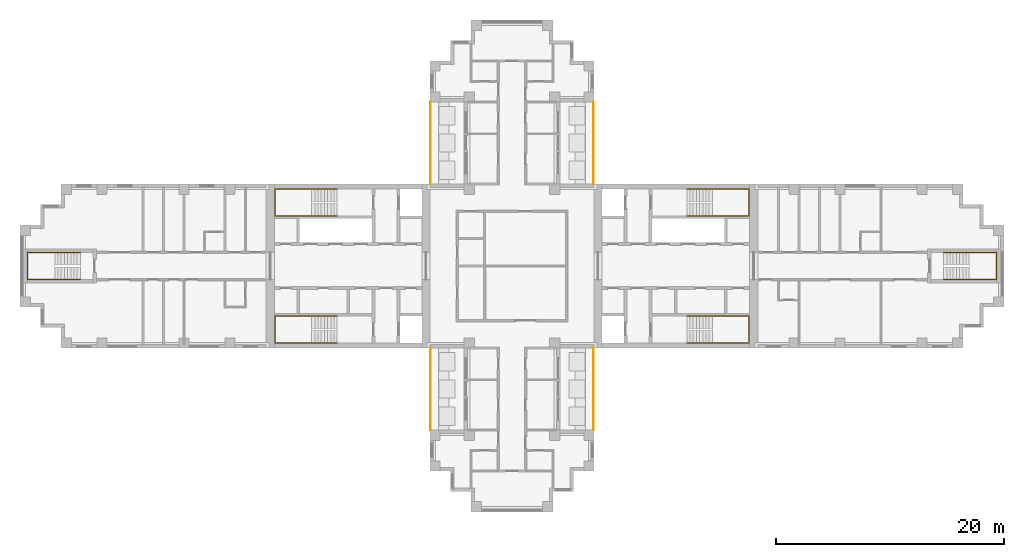
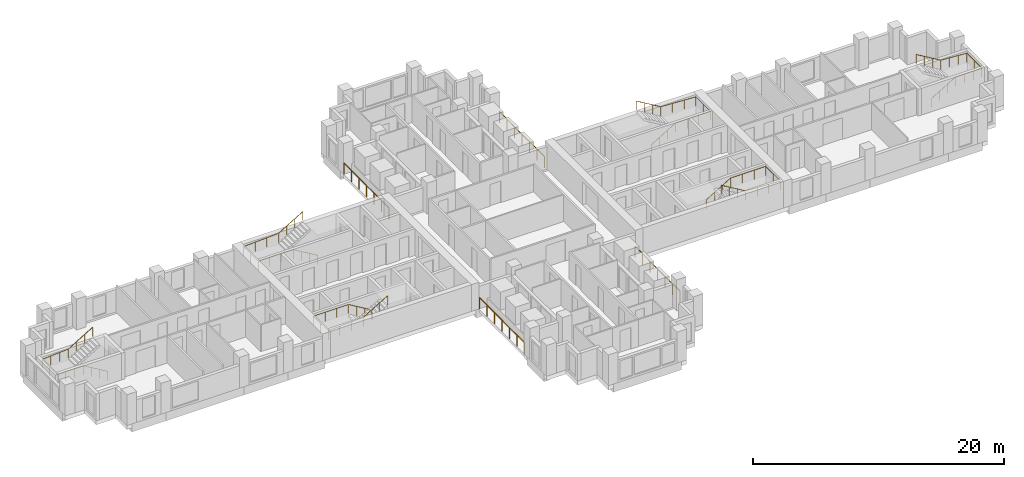
# One storey, part 11 of 12: 10 railings.
"""IFC4 building model written with IfcOpenShell, lengths in metres."""

import ifcopenshell
import ifcopenshell.guid

model = None  # the IFC model being written
_history = None  # IfcOwnerHistory: only IFC2X3 demands one
_inside = {}  # id of a spatial element -> (the spatial element, [elements in it])
_under = {}  # id of a project, library or spatial element -> (it, [spatial elements below it])
_declared = {}  # id of a project -> (the project, [libraries it declares])
_typed = {}  # id of a type object -> (the type object, [elements of that type])
_made_of = {}  # id of a material, layer set ... -> (it, [elements and type objects made of it])


def new_model(schema):
    """Start an empty IFC model of exactly this schema.

    Asked for "IFC4X3", IfcOpenShell would pick the latest addendum, in which some entities
    have other attributes; the version numbers below select the first issue.
    IFC2X3 requires an IfcOwnerHistory on every rooted entity: one is made here for all.
    """
    global model, _history
    if schema == "IFC4X3":
        model = ifcopenshell.file(schema_version=(4, 3, 0, 0))
    else:
        model = ifcopenshell.file(schema=schema)
    _inside.clear()
    _under.clear()
    _declared.clear()
    _typed.clear()
    _made_of.clear()
    _history = None
    if model.schema == "IFC2X3":
        org = make("IfcOrganization", Name="unknown")
        user = make(
            "IfcPersonAndOrganization",
            ThePerson=make("IfcPerson", FamilyName="unknown"),
            TheOrganization=org,
        )
        app = make(
            "IfcApplication",
            ApplicationDeveloper=org,
            Version="unknown",
            ApplicationFullName="unknown",
            ApplicationIdentifier="unknown",
        )
        _history = make(
            "IfcOwnerHistory",
            OwningUser=user,
            OwningApplication=app,
            ChangeAction="ADDED",
            CreationDate=0,
        )
    return model


def make(cls, **values):
    """One entity of the class cls with the attributes given. An attribute that is None is left unset."""
    return model.create_entity(
        cls, **{name: value for name, value in values.items() if value is not None}
    )


def rooted(cls, **values):
    """An entity with a GlobalId (a new one), such as an element, a storey or a relation."""
    return make(cls, GlobalId=ifcopenshell.guid.new(), OwnerHistory=_history, **values)


def si_unit(unit_type, name, prefix=None):
    """IfcSIUnit, for example si_unit("LENGTHUNIT", "METRE", prefix="MILLI")."""
    return make("IfcSIUnit", UnitType=unit_type, Prefix=prefix, Name=name)


def assignment(units):
    """IfcUnitAssignment: the units of a project."""
    return None if units is None else make("IfcUnitAssignment", Units=units)


def point(xyz):
    """IfcCartesianPoint."""
    return None if xyz is None else make("IfcCartesianPoint", Coordinates=xyz)


def direction(xyz):
    """IfcDirection."""
    return None if xyz is None else make("IfcDirection", DirectionRatios=xyz)


def frame(location, z_axis=None, x_axis=None):
    """IfcAxis2Placement3D, a coordinate frame: its origin and axes. An axis left out is left unset."""
    return make(
        "IfcAxis2Placement3D",
        Location=point(location),
        Axis=direction(z_axis),
        RefDirection=direction(x_axis),
    )


def frame_2d(location, x_axis=None):
    """IfcAxis2Placement2D, a coordinate frame in the plane: its origin and x axis."""
    return make(
        "IfcAxis2Placement2D", Location=point(location), RefDirection=direction(x_axis)
    )


def origin():
    """The frame at (0, 0, 0) with its axes left unset."""
    return frame((0.0, 0.0, 0.0))


def origin_2d():
    """The frame at (0, 0) in the plane with its x axis left unset."""
    return frame_2d((0.0, 0.0))


def place(relative_to, where):
    """IfcLocalPlacement: puts the frame where relative to a parent placement (None: the world)."""
    return make(
        "IfcLocalPlacement", PlacementRelTo=relative_to, RelativePlacement=where
    )


def context(
    kind, dimensions, precision=None, world=None, true_north=None, identifier=None
):
    """IfcGeometricRepresentationContext, for example the 3D "Model" context."""
    return make(
        "IfcGeometricRepresentationContext",
        ContextIdentifier=identifier,
        ContextType=kind,
        CoordinateSpaceDimension=dimensions,
        Precision=precision,
        WorldCoordinateSystem=world,
        TrueNorth=true_north,
    )


def subcontext(parent, identifier, kind, view, scale=None):
    """IfcGeometricRepresentationSubContext, for example "Body" below "Model"."""
    return make(
        "IfcGeometricRepresentationSubContext",
        ContextIdentifier=identifier,
        ContextType=kind,
        ParentContext=parent,
        TargetScale=scale,
        TargetView=view,
    )


def project(units=None, contexts=None):
    """IfcProject with its units and contexts."""
    return rooted(
        "IfcProject",
        Name="project",
        RepresentationContexts=contexts,
        UnitsInContext=assignment(units),
    )


def spatial(cls, under=None, at=None, **own):
    """A site, building, storey or space (cls), placed at a placement, below another one or the project."""
    s = rooted(cls, ObjectPlacement=at, **own)
    if under is not None:
        _under.setdefault(under.id(), (under, []))[1].append(s)
    return s


def profile(cls, at=None, kind="AREA", **sizes):
    """A parametric profile (cls). Its sizes go by their IFC names, for example OverallWidth=200.0."""
    return make(cls, ProfileType=kind, Position=at, **sizes)


def circle(**sizes):
    """IfcCircleProfileDef."""
    return profile("IfcCircleProfileDef", **sizes)


def extrude(swept, where, along, depth):
    """IfcExtrudedAreaSolid: the profile swept, set in the frame where, extruded along a direction by depth."""
    return make(
        "IfcExtrudedAreaSolid",
        SweptArea=swept,
        Position=where,
        ExtrudedDirection=direction(along),
        Depth=depth,
    )


def shape(context_of_items, identifier, shape_type, items):
    """IfcShapeRepresentation: the items that make up one representation, for example the "Body"."""
    return make(
        "IfcShapeRepresentation",
        ContextOfItems=context_of_items,
        RepresentationIdentifier=identifier,
        RepresentationType=shape_type,
        Items=items,
    )


def material(Name=None, Category=None):
    """IfcMaterial."""
    return make("IfcMaterial", Name=Name, Category=Category)


def made_of(thing, what):
    """Note that an element or type object is made of a material, layer set ...; save() writes the relation."""
    if what is not None:
        _made_of.setdefault(what.id(), (what, []))[1].append(thing)
    return thing


def type_object(cls, material=None, **own):
    """A type object (cls), such as IfcWallType, which elements share."""
    return made_of(rooted(cls, **own), material)


def element(
    cls,
    number,
    at=None,
    inside=None,
    cuts=None,
    type_object=None,
    material=None,
    context=None,
    identifier="Body",
    shape_type=None,
    held_by="IfcProductDefinitionShape",
    body=None,
    shapes=None,
    **own,
):
    """One element of the class cls, such as IfcWall. Its Tag is "e" and its number.

    at: its placement. inside: the storey or other place that contains it. cuts: it is an
    opening in that element (IfcRelVoidsElement). A single representation is given by context,
    identifier, shape_type and body (its items); several are given by shapes. held_by: the class
    of the entity that holds the representations. save() writes the other relations.
    """
    e = rooted(cls, Tag="e%d" % number, ObjectPlacement=at, **own)
    if body is not None:
        shapes = [shape(context, identifier, shape_type, body)]
    if shapes is not None:
        e.Representation = make(held_by, Representations=shapes)
    if inside is not None:
        _inside.setdefault(inside.id(), (inside, []))[1].append(e)
    if cuts is not None:
        rooted(
            "IfcRelVoidsElement", RelatingBuildingElement=cuts, RelatedOpeningElement=e
        )
    if type_object is not None:
        _typed.setdefault(type_object.id(), (type_object, []))[1].append(e)
    return made_of(e, material)


def aggregate(whole, parts):
    """IfcRelAggregates: a whole, such as a stair, and the parts it consists of."""
    return rooted("IfcRelAggregates", RelatingObject=whole, RelatedObjects=parts)


def save(model, path):
    """Write the relations noted so far, then the file.

    IfcRelAggregates (storeys below a building ...), IfcRelContainedInSpatialStructure (elements
    in a storey), IfcRelDefinesByType, IfcRelAssociatesMaterial and IfcRelDeclares: one each for
    every whole, place, type object, material and project.
    """
    for whole, parts in _under.values():
        aggregate(whole, parts)
    for where, things in _inside.values():
        rooted(
            "IfcRelContainedInSpatialStructure",
            RelatedElements=things,
            RelatingStructure=where,
        )
    for kind, things in _typed.values():
        rooted("IfcRelDefinesByType", RelatedObjects=things, RelatingType=kind)
    for what, things in _made_of.values():
        rooted("IfcRelAssociatesMaterial", RelatedObjects=things, RelatingMaterial=what)
    for by, libraries in _declared.values():
        rooted("IfcRelDeclares", RelatingContext=by, RelatedDefinitions=libraries)
    model.write(path)


model = new_model("IFC4")

# Units and contexts
model_context = context("Model", 3, precision=1e-05, world=origin(), true_north=direction((0.0, 1.0)))
body_context = subcontext(model_context, "Body", "Model", "MODEL_VIEW")
ifc_project = project(units=[si_unit("LENGTHUNIT", "METRE"), si_unit("AREAUNIT", "SQUARE_METRE"), si_unit("VOLUMEUNIT", "CUBIC_METRE"), si_unit("PLANEANGLEUNIT", "RADIAN"), si_unit("MASSUNIT", "GRAM", prefix="KILO")], contexts=[model_context])

# Site, building, storey
site_placement = place(None, origin())
site = spatial("IfcSite", under=ifc_project, at=site_placement, CompositionType="ELEMENT")
building_placement = place(site_placement, origin())
building = spatial("IfcBuilding", under=site, at=building_placement, Name="Fustian Cross Tower", CompositionType="ELEMENT")
storey_placement = place(building_placement, frame((0.0, 0.0, 147.300048828125)))
storey = spatial("IfcBuildingStorey", under=building, at=storey_placement, Name="L46", CompositionType="ELEMENT", Elevation=147.300048828125)

# Railings
ifc_material_1 = material(Name="Stainless steel and glass", Category="steel")
railing_type_1 = type_object("IfcRailingType", Name="GR1 BALCONY GUARD 1100", PredefinedType="GUARDRAIL", material=ifc_material_1)
for number, where, name in (
    (1, (7.14990234375, 7.199951171875, 0.0), "Balcony guard"),
    (2, (-7.14990234375, 7.199951171875, 0.0), "Balcony guard"),
    (3, (7.14990234375, -14.39990234375, 0.0), "Balcony guard"),
    (4, (-7.14990234375, -14.39990234375, 0.0), "Balcony guard"),
):
    element("IfcRailing", number, at=place(storey_placement, frame(where)), inside=storey, type_object=railing_type_1, Name=name, PredefinedType="GUARDRAIL", context=body_context, shape_type="SweptSolid", body=[
        extrude(circle(Radius=0.02392578125, at=origin_2d()), frame((0.0, 0.0, 1.076171875), z_axis=(0.0, 1.0, 0.0), x_axis=(-1.0, 0.0, 0.0)), (0.0, 0.0, 1.0), 7.199951171875),
        extrude(circle(Radius=0.02099609375, at=origin_2d()), origin(), (0.0, 0.0, 1.0), 1.052001953125),
        extrude(circle(Radius=0.02099609375, at=origin_2d()), frame((0.0, 1.199951171875, 0.0)), (0.0, 0.0, 1.0), 1.052001953125),
        extrude(circle(Radius=0.02099609375, at=origin_2d()), frame((0.0, 2.39990234375, 0.0)), (0.0, 0.0, 1.0), 1.052001953125),
        extrude(circle(Radius=0.02099609375, at=origin_2d()), frame((0.0, 3.60009765625, 0.0)), (0.0, 0.0, 1.0), 1.052001953125),
        extrude(circle(Radius=0.02099609375, at=origin_2d()), frame((0.0, 4.800048828125, 0.0)), (0.0, 0.0, 1.0), 1.052001953125),
        extrude(circle(Radius=0.02099609375, at=origin_2d()), frame((0.0, 6.0, 0.0)), (0.0, 0.0, 1.0), 1.052001953125),
        extrude(circle(Radius=0.02099609375, at=origin_2d()), frame((0.0, 7.199951171875, 0.0)), (0.0, 0.0, 1.0), 1.052001953125),
    ])
ifc_material_2 = material(Name="Stainless steel", Category="steel")
railing_type_2 = type_object("IfcRailingType", Name="STAIR HANDRAIL", PredefinedType="HANDRAIL", material=ifc_material_2)
railing_1_placement = place(storey_placement, frame((15.35009765625, 4.39990234375, 0.16650390625)))
element("IfcRailing", 5, at=railing_1_placement, inside=storey, type_object=railing_type_2, Name="Stair ST1 handrail 1", PredefinedType="HANDRAIL", context=body_context, shape_type="SweptSolid", body=[
    extrude(circle(Radius=0.02490234375, at=origin_2d()), frame((0.0, 0.0, 0.875), z_axis=(0.859264461869, 0.0, 0.511531606619), x_axis=(0.0, 1.0, 0.0)), (0.0, 0.0, 1.0), 2.60693359375),
    extrude(circle(Radius=0.02490234375, at=origin_2d()), frame((2.239990234375, 0.0, 2.20849609375), z_axis=(1.0, 0.0, 0.0), x_axis=(0.0, 1.0, 0.0)), (0.0, 0.0, 1.0), 3.219970703125),
    extrude(circle(Radius=0.02490234375, at=origin_2d()), frame((5.4599609375, 0.0, 2.20849609375), z_axis=(0.0, 1.0, 0.0), x_axis=(-1.0, 0.0, 0.0)), (0.0, 0.0, 1.0), 2.35009765625),
    extrude(circle(Radius=0.02490234375, at=origin_2d()), frame((5.4599609375, 2.35009765625, 2.20849609375), z_axis=(-0.998665725648, 0.0, 0.051640763128), x_axis=(0.0, -1.0, 0.0)), (0.0, 0.0, 1.0), 3.224365234375),
    extrude(circle(Radius=0.02490234375, at=origin_2d()), frame((2.239990234375, 2.35009765625, 2.375), z_axis=(-0.859264461869, 0.0, 0.511531606619), x_axis=(0.0, -1.0, 0.0)), (0.0, 0.0, 1.0), 2.60693359375),
    extrude(circle(Radius=0.02001953125, at=origin_2d()), origin(), (0.0, 0.0, 1.0), 0.849853515625),
    extrude(circle(Radius=0.02001953125, at=origin_2d()), frame((0.74658203125, 0.0, 0.444580078125)), (0.0, 0.0, 1.0), 0.849853515625),
    extrude(circle(Radius=0.02001953125, at=origin_2d()), frame((1.493408203125, 0.0, 0.888916015625)), (0.0, 0.0, 1.0), 0.849853515625),
    extrude(circle(Radius=0.02001953125, at=origin_2d()), frame((2.239990234375, 0.0, 1.33349609375)), (0.0, 0.0, 1.0), 0.849853515625),
    extrude(circle(Radius=0.02001953125, at=origin_2d()), frame((3.313232421875, 0.0, 1.33349609375)), (0.0, 0.0, 1.0), 0.849853515625),
    extrude(circle(Radius=0.02001953125, at=origin_2d()), frame((4.38671875, 0.0, 1.33349609375)), (0.0, 0.0, 1.0), 0.849853515625),
    extrude(circle(Radius=0.02001953125, at=origin_2d()), frame((5.4599609375, 0.0, 1.33349609375)), (0.0, 0.0, 1.0), 0.849853515625),
    extrude(circle(Radius=0.02001953125, at=origin_2d()), frame((5.4599609375, 1.175048828125, 1.33349609375)), (0.0, 0.0, 1.0), 0.849853515625),
    extrude(circle(Radius=0.02001953125, at=origin_2d()), frame((5.4599609375, 2.35009765625, 1.33349609375)), (0.0, 0.0, 1.0), 0.849853515625),
    extrude(circle(Radius=0.02001953125, at=origin_2d()), frame((4.38671875, 2.35009765625, 1.388916015625)), (0.0, 0.0, 1.0), 0.849853515625),
    extrude(circle(Radius=0.02001953125, at=origin_2d()), frame((3.313232421875, 2.35009765625, 1.444580078125)), (0.0, 0.0, 1.0), 0.849853515625),
    extrude(circle(Radius=0.02001953125, at=origin_2d()), frame((2.239990234375, 2.35009765625, 1.5)), (0.0, 0.0, 1.0), 0.849853515625),
    extrude(circle(Radius=0.02001953125, at=origin_2d()), frame((1.493408203125, 2.35009765625, 1.944580078125)), (0.0, 0.0, 1.0), 0.849853515625),
    extrude(circle(Radius=0.02001953125, at=origin_2d()), frame((0.74658203125, 2.35009765625, 2.388916015625)), (0.0, 0.0, 1.0), 0.849853515625),
    extrude(circle(Radius=0.02001953125, at=origin_2d()), frame((0.0, 2.35009765625, 2.83349609375)), (0.0, 0.0, 1.0), 0.849853515625),
])
railing_2_placement = place(storey_placement, frame((15.35009765625, -4.39990234375, 0.16650390625)))
element("IfcRailing", 6, at=railing_2_placement, inside=storey, type_object=railing_type_2, Name="Stair ST2 handrail 1", PredefinedType="HANDRAIL", context=body_context, shape_type="SweptSolid", body=[
    extrude(circle(Radius=0.02490234375, at=origin_2d()), frame((0.0, 0.0, 0.875), z_axis=(0.859264461869, 0.0, 0.511531606619), x_axis=(0.0, 1.0, 0.0)), (0.0, 0.0, 1.0), 2.60693359375),
    extrude(circle(Radius=0.02490234375, at=origin_2d()), frame((2.239990234375, 0.0, 2.20849609375), z_axis=(1.0, 0.0, 0.0), x_axis=(0.0, 1.0, 0.0)), (0.0, 0.0, 1.0), 3.219970703125),
    extrude(circle(Radius=0.02490234375, at=origin_2d()), frame((5.4599609375, 0.0, 2.20849609375), z_axis=(0.0, -1.0, 0.0), x_axis=(1.0, 0.0, 0.0)), (0.0, 0.0, 1.0), 2.35009765625),
    extrude(circle(Radius=0.02490234375, at=origin_2d()), frame((5.4599609375, -2.35009765625, 2.20849609375), z_axis=(-0.998665725648, 0.0, 0.051640763128), x_axis=(0.0, -1.0, 0.0)), (0.0, 0.0, 1.0), 3.224365234375),
    extrude(circle(Radius=0.02490234375, at=origin_2d()), frame((2.239990234375, -2.35009765625, 2.375), z_axis=(-0.859264461869, 0.0, 0.511531606619), x_axis=(0.0, -1.0, 0.0)), (0.0, 0.0, 1.0), 2.60693359375),
    extrude(circle(Radius=0.02001953125, at=origin_2d()), origin(), (0.0, 0.0, 1.0), 0.849853515625),
    extrude(circle(Radius=0.02001953125, at=origin_2d()), frame((0.74658203125, 0.0, 0.444580078125)), (0.0, 0.0, 1.0), 0.849853515625),
    extrude(circle(Radius=0.02001953125, at=origin_2d()), frame((1.493408203125, 0.0, 0.888916015625)), (0.0, 0.0, 1.0), 0.849853515625),
    extrude(circle(Radius=0.02001953125, at=origin_2d()), frame((2.239990234375, 0.0, 1.33349609375)), (0.0, 0.0, 1.0), 0.849853515625),
    extrude(circle(Radius=0.02001953125, at=origin_2d()), frame((3.313232421875, 0.0, 1.33349609375)), (0.0, 0.0, 1.0), 0.849853515625),
    extrude(circle(Radius=0.02001953125, at=origin_2d()), frame((4.38671875, 0.0, 1.33349609375)), (0.0, 0.0, 1.0), 0.849853515625),
    extrude(circle(Radius=0.02001953125, at=origin_2d()), frame((5.4599609375, 0.0, 1.33349609375)), (0.0, 0.0, 1.0), 0.849853515625),
    extrude(circle(Radius=0.02001953125, at=origin_2d()), frame((5.4599609375, -1.175048828125, 1.33349609375)), (0.0, 0.0, 1.0), 0.849853515625),
    extrude(circle(Radius=0.02001953125, at=origin_2d()), frame((5.4599609375, -2.35009765625, 1.33349609375)), (0.0, 0.0, 1.0), 0.849853515625),
    extrude(circle(Radius=0.02001953125, at=origin_2d()), frame((4.38671875, -2.35009765625, 1.388916015625)), (0.0, 0.0, 1.0), 0.849853515625),
    extrude(circle(Radius=0.02001953125, at=origin_2d()), frame((3.313232421875, -2.35009765625, 1.444580078125)), (0.0, 0.0, 1.0), 0.849853515625),
    extrude(circle(Radius=0.02001953125, at=origin_2d()), frame((2.239990234375, -2.35009765625, 1.5)), (0.0, 0.0, 1.0), 0.849853515625),
    extrude(circle(Radius=0.02001953125, at=origin_2d()), frame((1.493408203125, -2.35009765625, 1.944580078125)), (0.0, 0.0, 1.0), 0.849853515625),
    extrude(circle(Radius=0.02001953125, at=origin_2d()), frame((0.74658203125, -2.35009765625, 2.388916015625)), (0.0, 0.0, 1.0), 0.849853515625),
    extrude(circle(Radius=0.02001953125, at=origin_2d()), frame((0.0, -2.35009765625, 2.83349609375)), (0.0, 0.0, 1.0), 0.849853515625),
])
railing_3_placement = place(storey_placement, frame((-15.35009765625, 4.39990234375, 0.16650390625)))
element("IfcRailing", 7, at=railing_3_placement, inside=storey, type_object=railing_type_2, Name="Stair ST3 handrail 1", PredefinedType="HANDRAIL", context=body_context, shape_type="SweptSolid", body=[
    extrude(circle(Radius=0.02490234375, at=origin_2d()), frame((0.0, 0.0, 0.875), z_axis=(-0.859264461869, 0.0, 0.511531606619), x_axis=(0.0, -1.0, 0.0)), (0.0, 0.0, 1.0), 2.60693359375),
    extrude(circle(Radius=0.02490234375, at=origin_2d()), frame((-2.239990234375, 0.0, 2.20849609375), z_axis=(-1.0, 0.0, 0.0), x_axis=(0.0, -1.0, 0.0)), (0.0, 0.0, 1.0), 3.219970703125),
    extrude(circle(Radius=0.02490234375, at=origin_2d()), frame((-5.4599609375, 0.0, 2.20849609375), z_axis=(0.0, 1.0, 0.0), x_axis=(-1.0, 0.0, 0.0)), (0.0, 0.0, 1.0), 2.35009765625),
    extrude(circle(Radius=0.02490234375, at=origin_2d()), frame((-5.4599609375, 2.35009765625, 2.20849609375), z_axis=(0.998665725648, 0.0, 0.051640763128), x_axis=(0.0, 1.0, 0.0)), (0.0, 0.0, 1.0), 3.224365234375),
    extrude(circle(Radius=0.02490234375, at=origin_2d()), frame((-2.239990234375, 2.35009765625, 2.375), z_axis=(0.859264461869, 0.0, 0.511531606619), x_axis=(0.0, 1.0, 0.0)), (0.0, 0.0, 1.0), 2.60693359375),
    extrude(circle(Radius=0.02001953125, at=origin_2d()), origin(), (0.0, 0.0, 1.0), 0.849853515625),
    extrude(circle(Radius=0.02001953125, at=origin_2d()), frame((-0.74658203125, 0.0, 0.444580078125)), (0.0, 0.0, 1.0), 0.849853515625),
    extrude(circle(Radius=0.02001953125, at=origin_2d()), frame((-1.493408203125, 0.0, 0.888916015625)), (0.0, 0.0, 1.0), 0.849853515625),
    extrude(circle(Radius=0.02001953125, at=origin_2d()), frame((-2.239990234375, 0.0, 1.33349609375)), (0.0, 0.0, 1.0), 0.849853515625),
    extrude(circle(Radius=0.02001953125, at=origin_2d()), frame((-3.313232421875, 0.0, 1.33349609375)), (0.0, 0.0, 1.0), 0.849853515625),
    extrude(circle(Radius=0.02001953125, at=origin_2d()), frame((-4.38671875, 0.0, 1.33349609375)), (0.0, 0.0, 1.0), 0.849853515625),
    extrude(circle(Radius=0.02001953125, at=origin_2d()), frame((-5.4599609375, 0.0, 1.33349609375)), (0.0, 0.0, 1.0), 0.849853515625),
    extrude(circle(Radius=0.02001953125, at=origin_2d()), frame((-5.4599609375, 1.175048828125, 1.33349609375)), (0.0, 0.0, 1.0), 0.849853515625),
    extrude(circle(Radius=0.02001953125, at=origin_2d()), frame((-5.4599609375, 2.35009765625, 1.33349609375)), (0.0, 0.0, 1.0), 0.849853515625),
    extrude(circle(Radius=0.02001953125, at=origin_2d()), frame((-4.38671875, 2.35009765625, 1.388916015625)), (0.0, 0.0, 1.0), 0.849853515625),
    extrude(circle(Radius=0.02001953125, at=origin_2d()), frame((-3.313232421875, 2.35009765625, 1.444580078125)), (0.0, 0.0, 1.0), 0.849853515625),
    extrude(circle(Radius=0.02001953125, at=origin_2d()), frame((-2.239990234375, 2.35009765625, 1.5)), (0.0, 0.0, 1.0), 0.849853515625),
    extrude(circle(Radius=0.02001953125, at=origin_2d()), frame((-1.493408203125, 2.35009765625, 1.944580078125)), (0.0, 0.0, 1.0), 0.849853515625),
    extrude(circle(Radius=0.02001953125, at=origin_2d()), frame((-0.74658203125, 2.35009765625, 2.388916015625)), (0.0, 0.0, 1.0), 0.849853515625),
    extrude(circle(Radius=0.02001953125, at=origin_2d()), frame((0.0, 2.35009765625, 2.83349609375)), (0.0, 0.0, 1.0), 0.849853515625),
])
railing_4_placement = place(storey_placement, frame((-15.35009765625, -4.39990234375, 0.16650390625)))
element("IfcRailing", 8, at=railing_4_placement, inside=storey, type_object=railing_type_2, Name="Stair ST4 handrail 1", PredefinedType="HANDRAIL", context=body_context, shape_type="SweptSolid", body=[
    extrude(circle(Radius=0.02490234375, at=origin_2d()), frame((0.0, 0.0, 0.875), z_axis=(-0.859264461869, 0.0, 0.511531606619), x_axis=(0.0, -1.0, 0.0)), (0.0, 0.0, 1.0), 2.60693359375),
    extrude(circle(Radius=0.02490234375, at=origin_2d()), frame((-2.239990234375, 0.0, 2.20849609375), z_axis=(-1.0, 0.0, 0.0), x_axis=(0.0, -1.0, 0.0)), (0.0, 0.0, 1.0), 3.219970703125),
    extrude(circle(Radius=0.02490234375, at=origin_2d()), frame((-5.4599609375, 0.0, 2.20849609375), z_axis=(0.0, -1.0, 0.0), x_axis=(1.0, 0.0, 0.0)), (0.0, 0.0, 1.0), 2.35009765625),
    extrude(circle(Radius=0.02490234375, at=origin_2d()), frame((-5.4599609375, -2.35009765625, 2.20849609375), z_axis=(0.998665725648, 0.0, 0.051640763128), x_axis=(0.0, 1.0, 0.0)), (0.0, 0.0, 1.0), 3.224365234375),
    extrude(circle(Radius=0.02490234375, at=origin_2d()), frame((-2.239990234375, -2.35009765625, 2.375), z_axis=(0.859264461869, 0.0, 0.511531606619), x_axis=(0.0, 1.0, 0.0)), (0.0, 0.0, 1.0), 2.60693359375),
    extrude(circle(Radius=0.02001953125, at=origin_2d()), origin(), (0.0, 0.0, 1.0), 0.849853515625),
    extrude(circle(Radius=0.02001953125, at=origin_2d()), frame((-0.74658203125, 0.0, 0.444580078125)), (0.0, 0.0, 1.0), 0.849853515625),
    extrude(circle(Radius=0.02001953125, at=origin_2d()), frame((-1.493408203125, 0.0, 0.888916015625)), (0.0, 0.0, 1.0), 0.849853515625),
    extrude(circle(Radius=0.02001953125, at=origin_2d()), frame((-2.239990234375, 0.0, 1.33349609375)), (0.0, 0.0, 1.0), 0.849853515625),
    extrude(circle(Radius=0.02001953125, at=origin_2d()), frame((-3.313232421875, 0.0, 1.33349609375)), (0.0, 0.0, 1.0), 0.849853515625),
    extrude(circle(Radius=0.02001953125, at=origin_2d()), frame((-4.38671875, 0.0, 1.33349609375)), (0.0, 0.0, 1.0), 0.849853515625),
    extrude(circle(Radius=0.02001953125, at=origin_2d()), frame((-5.4599609375, 0.0, 1.33349609375)), (0.0, 0.0, 1.0), 0.849853515625),
    extrude(circle(Radius=0.02001953125, at=origin_2d()), frame((-5.4599609375, -1.175048828125, 1.33349609375)), (0.0, 0.0, 1.0), 0.849853515625),
    extrude(circle(Radius=0.02001953125, at=origin_2d()), frame((-5.4599609375, -2.35009765625, 1.33349609375)), (0.0, 0.0, 1.0), 0.849853515625),
    extrude(circle(Radius=0.02001953125, at=origin_2d()), frame((-4.38671875, -2.35009765625, 1.388916015625)), (0.0, 0.0, 1.0), 0.849853515625),
    extrude(circle(Radius=0.02001953125, at=origin_2d()), frame((-3.313232421875, -2.35009765625, 1.444580078125)), (0.0, 0.0, 1.0), 0.849853515625),
    extrude(circle(Radius=0.02001953125, at=origin_2d()), frame((-2.239990234375, -2.35009765625, 1.5)), (0.0, 0.0, 1.0), 0.849853515625),
    extrude(circle(Radius=0.02001953125, at=origin_2d()), frame((-1.493408203125, -2.35009765625, 1.944580078125)), (0.0, 0.0, 1.0), 0.849853515625),
    extrude(circle(Radius=0.02001953125, at=origin_2d()), frame((-0.74658203125, -2.35009765625, 2.388916015625)), (0.0, 0.0, 1.0), 0.849853515625),
    extrude(circle(Radius=0.02001953125, at=origin_2d()), frame((0.0, -2.35009765625, 2.83349609375)), (0.0, 0.0, 1.0), 0.849853515625),
])
railing_5_placement = place(storey_placement, frame((37.89990234375, -1.199951171875, 0.16650390625)))
element("IfcRailing", 9, at=railing_5_placement, inside=storey, type_object=railing_type_2, Name="Stair ST8 handrail 1", PredefinedType="HANDRAIL", context=body_context, shape_type="SweptSolid", body=[
    extrude(circle(Radius=0.02490234375, at=origin_2d()), frame((0.0, 0.0, 0.875), z_axis=(0.859264461869, 0.0, 0.511531606619), x_axis=(0.0, 1.0, 0.0)), (0.0, 0.0, 1.0), 2.60693359375),
    extrude(circle(Radius=0.02490234375, at=origin_2d()), frame((2.239990234375, 0.0, 2.20849609375), z_axis=(1.0, 0.0, 0.0), x_axis=(0.0, 1.0, 0.0)), (0.0, 0.0, 1.0), 2.420166015625),
    extrude(circle(Radius=0.02490234375, at=origin_2d()), frame((4.66015625, 0.0, 2.20849609375), z_axis=(0.0, 1.0, 0.0), x_axis=(-1.0, 0.0, 0.0)), (0.0, 0.0, 1.0), 2.39990234375),
    extrude(circle(Radius=0.02490234375, at=origin_2d()), frame((4.66015625, 2.39990234375, 2.20849609375), z_axis=(-0.997641748275, 0.0, 0.068636303069), x_axis=(0.0, -1.0, 0.0)), (0.0, 0.0, 1.0), 2.42578125),
    extrude(circle(Radius=0.02490234375, at=origin_2d()), frame((2.239990234375, 2.39990234375, 2.375), z_axis=(-0.859264461869, 0.0, 0.511531606619), x_axis=(0.0, -1.0, 0.0)), (0.0, 0.0, 1.0), 2.60693359375),
    extrude(circle(Radius=0.02001953125, at=origin_2d()), origin(), (0.0, 0.0, 1.0), 0.849853515625),
    extrude(circle(Radius=0.02001953125, at=origin_2d()), frame((0.74658203125, 0.0, 0.444580078125)), (0.0, 0.0, 1.0), 0.849853515625),
    extrude(circle(Radius=0.02001953125, at=origin_2d()), frame((1.493408203125, 0.0, 0.888916015625)), (0.0, 0.0, 1.0), 0.849853515625),
    extrude(circle(Radius=0.02001953125, at=origin_2d()), frame((2.239990234375, 0.0, 1.33349609375)), (0.0, 0.0, 1.0), 0.849853515625),
    extrude(circle(Radius=0.02001953125, at=origin_2d()), frame((3.046630859375, 0.0, 1.33349609375)), (0.0, 0.0, 1.0), 0.849853515625),
    extrude(circle(Radius=0.02001953125, at=origin_2d()), frame((3.853515625, 0.0, 1.33349609375)), (0.0, 0.0, 1.0), 0.849853515625),
    extrude(circle(Radius=0.02001953125, at=origin_2d()), frame((4.66015625, 0.0, 1.33349609375)), (0.0, 0.0, 1.0), 0.849853515625),
    extrude(circle(Radius=0.02001953125, at=origin_2d()), frame((4.66015625, 1.199951171875, 1.33349609375)), (0.0, 0.0, 1.0), 0.849853515625),
    extrude(circle(Radius=0.02001953125, at=origin_2d()), frame((4.66015625, 2.39990234375, 1.33349609375)), (0.0, 0.0, 1.0), 0.849853515625),
    extrude(circle(Radius=0.02001953125, at=origin_2d()), frame((3.853515625, 2.39990234375, 1.388916015625)), (0.0, 0.0, 1.0), 0.849853515625),
    extrude(circle(Radius=0.02001953125, at=origin_2d()), frame((3.046630859375, 2.39990234375, 1.444580078125)), (0.0, 0.0, 1.0), 0.849853515625),
    extrude(circle(Radius=0.02001953125, at=origin_2d()), frame((2.239990234375, 2.39990234375, 1.5)), (0.0, 0.0, 1.0), 0.849853515625),
    extrude(circle(Radius=0.02001953125, at=origin_2d()), frame((1.493408203125, 2.39990234375, 1.944580078125)), (0.0, 0.0, 1.0), 0.849853515625),
    extrude(circle(Radius=0.02001953125, at=origin_2d()), frame((0.74658203125, 2.39990234375, 2.388916015625)), (0.0, 0.0, 1.0), 0.849853515625),
    extrude(circle(Radius=0.02001953125, at=origin_2d()), frame((0.0, 2.39990234375, 2.83349609375)), (0.0, 0.0, 1.0), 0.849853515625),
])
railing_6_placement = place(storey_placement, frame((-37.89990234375, -1.199951171875, 0.16650390625)))
element("IfcRailing", 10, at=railing_6_placement, inside=storey, type_object=railing_type_2, Name="Stair ST9 handrail 1", PredefinedType="HANDRAIL", context=body_context, shape_type="SweptSolid", body=[
    extrude(circle(Radius=0.02490234375, at=origin_2d()), frame((0.0, 0.0, 0.875), z_axis=(-0.859264461869, 0.0, 0.511531606619), x_axis=(0.0, -1.0, 0.0)), (0.0, 0.0, 1.0), 2.60693359375),
    extrude(circle(Radius=0.02490234375, at=origin_2d()), frame((-2.239990234375, 0.0, 2.20849609375), z_axis=(-1.0, 0.0, 0.0), x_axis=(0.0, -1.0, 0.0)), (0.0, 0.0, 1.0), 2.420166015625),
    extrude(circle(Radius=0.02490234375, at=origin_2d()), frame((-4.66015625, 0.0, 2.20849609375), z_axis=(0.0, 1.0, 0.0), x_axis=(-1.0, 0.0, 0.0)), (0.0, 0.0, 1.0), 2.39990234375),
    extrude(circle(Radius=0.02490234375, at=origin_2d()), frame((-4.66015625, 2.39990234375, 2.20849609375), z_axis=(0.997641748275, 0.0, 0.068636303069), x_axis=(0.0, 1.0, 0.0)), (0.0, 0.0, 1.0), 2.42578125),
    extrude(circle(Radius=0.02490234375, at=origin_2d()), frame((-2.239990234375, 2.39990234375, 2.375), z_axis=(0.859264461869, 0.0, 0.511531606619), x_axis=(0.0, 1.0, 0.0)), (0.0, 0.0, 1.0), 2.60693359375),
    extrude(circle(Radius=0.02001953125, at=origin_2d()), origin(), (0.0, 0.0, 1.0), 0.849853515625),
    extrude(circle(Radius=0.02001953125, at=origin_2d()), frame((-0.74658203125, 0.0, 0.444580078125)), (0.0, 0.0, 1.0), 0.849853515625),
    extrude(circle(Radius=0.02001953125, at=origin_2d()), frame((-1.493408203125, 0.0, 0.888916015625)), (0.0, 0.0, 1.0), 0.849853515625),
    extrude(circle(Radius=0.02001953125, at=origin_2d()), frame((-2.239990234375, 0.0, 1.33349609375)), (0.0, 0.0, 1.0), 0.849853515625),
    extrude(circle(Radius=0.02001953125, at=origin_2d()), frame((-3.046630859375, 0.0, 1.33349609375)), (0.0, 0.0, 1.0), 0.849853515625),
    extrude(circle(Radius=0.02001953125, at=origin_2d()), frame((-3.853515625, 0.0, 1.33349609375)), (0.0, 0.0, 1.0), 0.849853515625),
    extrude(circle(Radius=0.02001953125, at=origin_2d()), frame((-4.66015625, 0.0, 1.33349609375)), (0.0, 0.0, 1.0), 0.849853515625),
    extrude(circle(Radius=0.02001953125, at=origin_2d()), frame((-4.66015625, 1.199951171875, 1.33349609375)), (0.0, 0.0, 1.0), 0.849853515625),
    extrude(circle(Radius=0.02001953125, at=origin_2d()), frame((-4.66015625, 2.39990234375, 1.33349609375)), (0.0, 0.0, 1.0), 0.849853515625),
    extrude(circle(Radius=0.02001953125, at=origin_2d()), frame((-3.853515625, 2.39990234375, 1.388916015625)), (0.0, 0.0, 1.0), 0.849853515625),
    extrude(circle(Radius=0.02001953125, at=origin_2d()), frame((-3.046630859375, 2.39990234375, 1.444580078125)), (0.0, 0.0, 1.0), 0.849853515625),
    extrude(circle(Radius=0.02001953125, at=origin_2d()), frame((-2.239990234375, 2.39990234375, 1.5)), (0.0, 0.0, 1.0), 0.849853515625),
    extrude(circle(Radius=0.02001953125, at=origin_2d()), frame((-1.493408203125, 2.39990234375, 1.944580078125)), (0.0, 0.0, 1.0), 0.849853515625),
    extrude(circle(Radius=0.02001953125, at=origin_2d()), frame((-0.74658203125, 2.39990234375, 2.388916015625)), (0.0, 0.0, 1.0), 0.849853515625),
    extrude(circle(Radius=0.02001953125, at=origin_2d()), frame((0.0, 2.39990234375, 2.83349609375)), (0.0, 0.0, 1.0), 0.849853515625),
])

save(model, "model.ifc")
